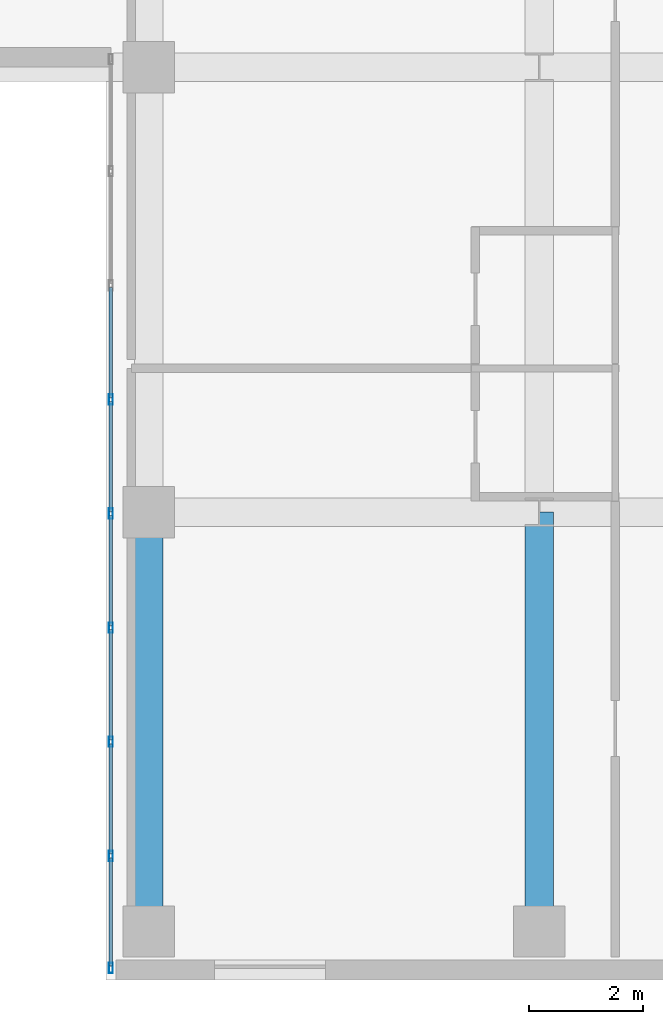
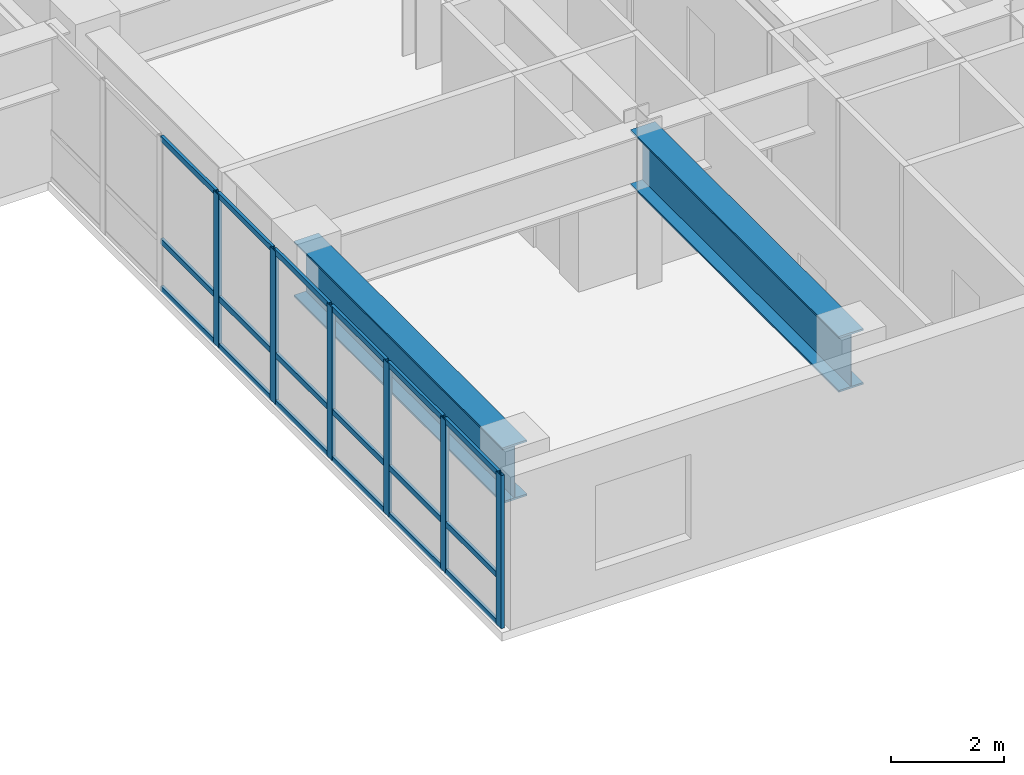
# One storey, part 5 of 15: 24 members, 2 beams, 1 element without a shape of its own.
"""IFC4 building model written with IfcOpenShell, lengths in metres."""

from ifc_helpers import new_model, si_unit, direction, frame, origin, origin_2d, place, context, subcontext, project, spatial, hollow_rectangle, i_section, extrude, source, transform, mapped, material, layer, layer_set, material_profile, profile_set, type_object, type_shapes, element, aggregate, save


model = new_model("IFC4")

# Units and contexts
model_context = context("Model", 3, precision=1e-05, world=origin(), true_north=direction((0.0, 1.0)))
body_context = subcontext(model_context, "Body", "Model", "MODEL_VIEW")
ifc_project = project(units=[si_unit("LENGTHUNIT", "METRE"), si_unit("AREAUNIT", "SQUARE_METRE"), si_unit("VOLUMEUNIT", "CUBIC_METRE"), si_unit("PLANEANGLEUNIT", "RADIAN"), si_unit("MASSUNIT", "GRAM", prefix="KILO")], contexts=[model_context])

# Site, building, storey
site_placement = place(None, origin())
site = spatial("IfcSite", under=ifc_project, at=site_placement, CompositionType="ELEMENT")
building_placement = place(site_placement, origin())
building = spatial("IfcBuilding", under=site, at=building_placement, Name="Tolvann Quenvar Hotel", CompositionType="ELEMENT")
storey_placement = place(building_placement, frame((0.0, 0.0, 143.5)))
storey = spatial("IfcBuildingStorey", under=building, at=storey_placement, Name="L37", CompositionType="ELEMENT", Elevation=143.5)

# Beams
ifc_material_1 = material(Name="Steel Grade 350", Category="steel")
ifc_material_profile_1 = material_profile(ifc_material_1, i_section(OverallWidth=0.5, OverallDepth=1.199951171875, WebThickness=0.01611328125, FlangeThickness=0.0400390625, at=origin_2d()), Name="1200WB455")
ifc_profile_set_1 = profile_set([ifc_material_profile_1], Name="Steel Grade 350")
beam_type = type_object("IfcBeamType", Name="BM_TG_1200WB455", PredefinedType="USERDEFINED", material=ifc_profile_set_1)
shared_shape_1 = source(origin(), body_context, "Body", "SweptSolid", [
    extrude(i_section(OverallWidth=0.5, OverallDepth=1.199951171875, WebThickness=0.01611328125, FlangeThickness=0.0400390625, at=origin_2d()), origin(), (0.0, 0.0, 1.0), 7.349853515625),
])
type_shapes(beam_type, [shared_shape_1])
for number, where, z_axis, x_axis, name in (
    (1, (34.949951171875, 0.85009765625, 2.68994140625), (0.0, 1.0, 0.0), (-1.0, 0.0, 0.0), "Setback Transfer Girder L37-F2"),
    (2, (41.800048828125, 0.85009765625, 2.68994140625), (0.0, 1.0, 0.0), (-1.0, 0.0, 0.0), "Setback Transfer Girder L37-H2"),
):
    element("IfcBeam", number, at=place(storey_placement, frame(where, z_axis=z_axis, x_axis=x_axis)), inside=storey, type_object=beam_type, Name=name, ObjectType="TRANSFER GIRDER", PredefinedType="USERDEFINED", context=body_context, shape_type="MappedRepresentation", body=[
        mapped(shared_shape_1, transform((0.0, 0.0, 0.0), x_axis=(1.0, 0.0, 0.0), y_axis=(0.0, 1.0, 0.0), z_axis=(0.0, 0.0, 1.0), scale=1.0)),
    ])

# Curtain wall, members
ifc_material_2 = material(Name="Thermally broken anodised architectural aluminium 6063-T6 and laminated low-E glass", Category="aluminium")
ifc_layer = layer(ifc_material_2, 0.179931640625)
ifc_layer_set = layer_set([ifc_layer], Name="Thermally broken anodised architectural aluminium 6063-T6 and laminated low-E glass")
curtain_wall_type = type_object("IfcCurtainWallType", Name="CW_SYS_SLOT_03", PredefinedType="USERDEFINED", material=ifc_layer_set)
curtain_wall_placement = place(storey_placement, origin())
curtain_wall = element("IfcCurtainWall", 3, at=curtain_wall_placement, inside=storey, type_object=curtain_wall_type, Name="Curtain Wall CW-SLOT-03 (CWR-L37-E07)", ObjectType="UNITISED CURTAIN WALL", PredefinedType="USERDEFINED")
ifc_material_3 = material(Name="Anodised architectural aluminium 6063-T6 framing", Category="aluminium")
ifc_material_profile_2 = material_profile(ifc_material_3, hollow_rectangle(XDim=0.06005859375, YDim=0.1201171875, WallThickness=0.00341796875, at=origin_2d()), Name="120x60x3.5RHS")
ifc_profile_set_2 = profile_set([ifc_material_profile_2], Name="Anodised architectural aluminium 6063-T6 framing")
member_type_1 = type_object("IfcMemberType", Name="CW_TRAN_120x60", PredefinedType="USERDEFINED", material=ifc_profile_set_2)
shared_shape_2 = source(origin(), body_context, "Body", "SweptSolid", [
    extrude(hollow_rectangle(XDim=0.06005859375, YDim=0.1201171875, WallThickness=0.00341796875, at=origin_2d()), origin(), (0.0, 0.0, 1.0), 1.894775390625),
])
member_1_placement = place(storey_placement, frame((34.2900390625, 2.139892578125, 0.030029296875), z_axis=(0.0, -1.0, 0.0), x_axis=(1.0, 0.0, 0.0)))
member_1 = element("IfcMember", 4, at=member_1_placement, type_object=member_type_1, Name="CW-SLOT-03 transom 8.1", ObjectType="TRANSOM", PredefinedType="USERDEFINED", context=body_context, shape_type="MappedRepresentation", body=[
    mapped(shared_shape_2, transform((0.0, 0.0, 0.0), x_axis=(1.0, 0.0, 0.0), y_axis=(0.0, 1.0, 0.0), z_axis=(0.0, 0.0, 1.0), scale=1.0)),
])
member_2_placement = place(storey_placement, frame((34.2900390625, 2.139892578125, 1.050048828125), z_axis=(0.0, -1.0, 0.0), x_axis=(1.0, 0.0, 0.0)))
member_2 = element("IfcMember", 5, at=member_2_placement, type_object=member_type_1, Name="CW-SLOT-03 transom 8.2", ObjectType="TRANSOM", PredefinedType="USERDEFINED", context=body_context, shape_type="MappedRepresentation", body=[
    mapped(shared_shape_2, transform((0.0, 0.0, 0.0), x_axis=(1.0, 0.0, 0.0), y_axis=(0.0, 1.0, 0.0), z_axis=(0.0, 0.0, 1.0), scale=1.0)),
])
member_3_placement = place(storey_placement, frame((34.2900390625, 2.139892578125, 3.260009765625), z_axis=(0.0, -1.0, 0.0), x_axis=(1.0, 0.0, 0.0)))
member_3 = element("IfcMember", 6, at=member_3_placement, type_object=member_type_1, Name="CW-SLOT-03 transom 8.3", ObjectType="TRANSOM", PredefinedType="USERDEFINED", context=body_context, shape_type="MappedRepresentation", body=[
    mapped(shared_shape_2, transform((0.0, 0.0, 0.0), x_axis=(1.0, 0.0, 0.0), y_axis=(0.0, 1.0, 0.0), z_axis=(0.0, 0.0, 1.0), scale=1.0)),
])
shared_shape_3 = source(origin(), body_context, "Body", "SweptSolid", [
    extrude(hollow_rectangle(XDim=0.06005859375, YDim=0.1201171875, WallThickness=0.00341796875, at=origin_2d()), origin(), (0.0, 0.0, 1.0), 1.929931640625),
])
type_shapes(member_type_1, [shared_shape_2, shared_shape_3])
member_4_placement = place(storey_placement, frame((34.2900390625, 12.139892578125, 0.030029296875), z_axis=(0.0, -1.0, 0.0), x_axis=(1.0, 0.0, 0.0)))
member_4 = element("IfcMember", 7, at=member_4_placement, type_object=member_type_1, Name="CW-SLOT-03 transom 3.1", ObjectType="TRANSOM", PredefinedType="USERDEFINED", context=body_context, shape_type="MappedRepresentation", body=[
    mapped(shared_shape_3, transform((0.0, 0.0, 0.0), x_axis=(1.0, 0.0, 0.0), y_axis=(0.0, 1.0, 0.0), z_axis=(0.0, 0.0, 1.0), scale=1.0)),
])
member_5_placement = place(storey_placement, frame((34.2900390625, 12.139892578125, 1.050048828125), z_axis=(0.0, -1.0, 0.0), x_axis=(1.0, 0.0, 0.0)))
member_5 = element("IfcMember", 8, at=member_5_placement, type_object=member_type_1, Name="CW-SLOT-03 transom 3.2", ObjectType="TRANSOM", PredefinedType="USERDEFINED", context=body_context, shape_type="MappedRepresentation", body=[
    mapped(shared_shape_3, transform((0.0, 0.0, 0.0), x_axis=(1.0, 0.0, 0.0), y_axis=(0.0, 1.0, 0.0), z_axis=(0.0, 0.0, 1.0), scale=1.0)),
])
member_6_placement = place(storey_placement, frame((34.2900390625, 12.139892578125, 3.260009765625), z_axis=(0.0, -1.0, 0.0), x_axis=(1.0, 0.0, 0.0)))
member_6 = element("IfcMember", 9, at=member_6_placement, type_object=member_type_1, Name="CW-SLOT-03 transom 3.3", ObjectType="TRANSOM", PredefinedType="USERDEFINED", context=body_context, shape_type="MappedRepresentation", body=[
    mapped(shared_shape_3, transform((0.0, 0.0, 0.0), x_axis=(1.0, 0.0, 0.0), y_axis=(0.0, 1.0, 0.0), z_axis=(0.0, 0.0, 1.0), scale=1.0)),
])
member_7_placement = place(storey_placement, frame((34.2900390625, 10.139892578125, 0.030029296875), z_axis=(0.0, -1.0, 0.0), x_axis=(1.0, 0.0, 0.0)))
member_7 = element("IfcMember", 10, at=member_7_placement, type_object=member_type_1, Name="CW-SLOT-03 transom 4.1", ObjectType="TRANSOM", PredefinedType="USERDEFINED", context=body_context, shape_type="MappedRepresentation", body=[
    mapped(shared_shape_3, transform((0.0, 0.0, 0.0), x_axis=(1.0, 0.0, 0.0), y_axis=(0.0, 1.0, 0.0), z_axis=(0.0, 0.0, 1.0), scale=1.0)),
])
member_8_placement = place(storey_placement, frame((34.2900390625, 10.139892578125, 1.050048828125), z_axis=(0.0, -1.0, 0.0), x_axis=(1.0, 0.0, 0.0)))
member_8 = element("IfcMember", 11, at=member_8_placement, type_object=member_type_1, Name="CW-SLOT-03 transom 4.2", ObjectType="TRANSOM", PredefinedType="USERDEFINED", context=body_context, shape_type="MappedRepresentation", body=[
    mapped(shared_shape_3, transform((0.0, 0.0, 0.0), x_axis=(1.0, 0.0, 0.0), y_axis=(0.0, 1.0, 0.0), z_axis=(0.0, 0.0, 1.0), scale=1.0)),
])
member_9_placement = place(storey_placement, frame((34.2900390625, 10.139892578125, 3.260009765625), z_axis=(0.0, -1.0, 0.0), x_axis=(1.0, 0.0, 0.0)))
member_9 = element("IfcMember", 12, at=member_9_placement, type_object=member_type_1, Name="CW-SLOT-03 transom 4.3", ObjectType="TRANSOM", PredefinedType="USERDEFINED", context=body_context, shape_type="MappedRepresentation", body=[
    mapped(shared_shape_3, transform((0.0, 0.0, 0.0), x_axis=(1.0, 0.0, 0.0), y_axis=(0.0, 1.0, 0.0), z_axis=(0.0, 0.0, 1.0), scale=1.0)),
])
member_10_placement = place(storey_placement, frame((34.2900390625, 8.139892578125, 0.030029296875), z_axis=(0.0, -1.0, 0.0), x_axis=(1.0, 0.0, 0.0)))
member_10 = element("IfcMember", 13, at=member_10_placement, type_object=member_type_1, Name="CW-SLOT-03 transom 5.1", ObjectType="TRANSOM", PredefinedType="USERDEFINED", context=body_context, shape_type="MappedRepresentation", body=[
    mapped(shared_shape_3, transform((0.0, 0.0, 0.0), x_axis=(1.0, 0.0, 0.0), y_axis=(0.0, 1.0, 0.0), z_axis=(0.0, 0.0, 1.0), scale=1.0)),
])
member_11_placement = place(storey_placement, frame((34.2900390625, 8.139892578125, 1.050048828125), z_axis=(0.0, -1.0, 0.0), x_axis=(1.0, 0.0, 0.0)))
member_11 = element("IfcMember", 14, at=member_11_placement, type_object=member_type_1, Name="CW-SLOT-03 transom 5.2", ObjectType="TRANSOM", PredefinedType="USERDEFINED", context=body_context, shape_type="MappedRepresentation", body=[
    mapped(shared_shape_3, transform((0.0, 0.0, 0.0), x_axis=(1.0, 0.0, 0.0), y_axis=(0.0, 1.0, 0.0), z_axis=(0.0, 0.0, 1.0), scale=1.0)),
])
member_12_placement = place(storey_placement, frame((34.2900390625, 8.139892578125, 3.260009765625), z_axis=(0.0, -1.0, 0.0), x_axis=(1.0, 0.0, 0.0)))
member_12 = element("IfcMember", 15, at=member_12_placement, type_object=member_type_1, Name="CW-SLOT-03 transom 5.3", ObjectType="TRANSOM", PredefinedType="USERDEFINED", context=body_context, shape_type="MappedRepresentation", body=[
    mapped(shared_shape_3, transform((0.0, 0.0, 0.0), x_axis=(1.0, 0.0, 0.0), y_axis=(0.0, 1.0, 0.0), z_axis=(0.0, 0.0, 1.0), scale=1.0)),
])
member_13_placement = place(storey_placement, frame((34.2900390625, 6.139892578125, 0.030029296875), z_axis=(0.0, -1.0, 0.0), x_axis=(1.0, 0.0, 0.0)))
member_13 = element("IfcMember", 16, at=member_13_placement, type_object=member_type_1, Name="CW-SLOT-03 transom 6.1", ObjectType="TRANSOM", PredefinedType="USERDEFINED", context=body_context, shape_type="MappedRepresentation", body=[
    mapped(shared_shape_3, transform((0.0, 0.0, 0.0), x_axis=(1.0, 0.0, 0.0), y_axis=(0.0, 1.0, 0.0), z_axis=(0.0, 0.0, 1.0), scale=1.0)),
])
member_14_placement = place(storey_placement, frame((34.2900390625, 6.139892578125, 1.050048828125), z_axis=(0.0, -1.0, 0.0), x_axis=(1.0, 0.0, 0.0)))
member_14 = element("IfcMember", 17, at=member_14_placement, type_object=member_type_1, Name="CW-SLOT-03 transom 6.2", ObjectType="TRANSOM", PredefinedType="USERDEFINED", context=body_context, shape_type="MappedRepresentation", body=[
    mapped(shared_shape_3, transform((0.0, 0.0, 0.0), x_axis=(1.0, 0.0, 0.0), y_axis=(0.0, 1.0, 0.0), z_axis=(0.0, 0.0, 1.0), scale=1.0)),
])
member_15_placement = place(storey_placement, frame((34.2900390625, 6.139892578125, 3.260009765625), z_axis=(0.0, -1.0, 0.0), x_axis=(1.0, 0.0, 0.0)))
member_15 = element("IfcMember", 18, at=member_15_placement, type_object=member_type_1, Name="CW-SLOT-03 transom 6.3", ObjectType="TRANSOM", PredefinedType="USERDEFINED", context=body_context, shape_type="MappedRepresentation", body=[
    mapped(shared_shape_3, transform((0.0, 0.0, 0.0), x_axis=(1.0, 0.0, 0.0), y_axis=(0.0, 1.0, 0.0), z_axis=(0.0, 0.0, 1.0), scale=1.0)),
])
member_16_placement = place(storey_placement, frame((34.2900390625, 4.139892578125, 0.030029296875), z_axis=(0.0, -1.0, 0.0), x_axis=(1.0, 0.0, 0.0)))
member_16 = element("IfcMember", 19, at=member_16_placement, type_object=member_type_1, Name="CW-SLOT-03 transom 7.1", ObjectType="TRANSOM", PredefinedType="USERDEFINED", context=body_context, shape_type="MappedRepresentation", body=[
    mapped(shared_shape_3, transform((0.0, 0.0, 0.0), x_axis=(1.0, 0.0, 0.0), y_axis=(0.0, 1.0, 0.0), z_axis=(0.0, 0.0, 1.0), scale=1.0)),
])
member_17_placement = place(storey_placement, frame((34.2900390625, 4.139892578125, 1.050048828125), z_axis=(0.0, -1.0, 0.0), x_axis=(1.0, 0.0, 0.0)))
member_17 = element("IfcMember", 20, at=member_17_placement, type_object=member_type_1, Name="CW-SLOT-03 transom 7.2", ObjectType="TRANSOM", PredefinedType="USERDEFINED", context=body_context, shape_type="MappedRepresentation", body=[
    mapped(shared_shape_3, transform((0.0, 0.0, 0.0), x_axis=(1.0, 0.0, 0.0), y_axis=(0.0, 1.0, 0.0), z_axis=(0.0, 0.0, 1.0), scale=1.0)),
])
member_18_placement = place(storey_placement, frame((34.2900390625, 4.139892578125, 3.260009765625), z_axis=(0.0, -1.0, 0.0), x_axis=(1.0, 0.0, 0.0)))
member_18 = element("IfcMember", 21, at=member_18_placement, type_object=member_type_1, Name="CW-SLOT-03 transom 7.3", ObjectType="TRANSOM", PredefinedType="USERDEFINED", context=body_context, shape_type="MappedRepresentation", body=[
    mapped(shared_shape_3, transform((0.0, 0.0, 0.0), x_axis=(1.0, 0.0, 0.0), y_axis=(0.0, 1.0, 0.0), z_axis=(0.0, 0.0, 1.0), scale=1.0)),
])
ifc_material_profile_3 = material_profile(ifc_material_3, hollow_rectangle(XDim=0.070068359375, YDim=0.179931640625, WallThickness=0.00390625, at=origin_2d()), Name="180x70x4RHS")
ifc_profile_set_3 = profile_set([ifc_material_profile_3], Name="Anodised architectural aluminium 6063-T6 framing")
member_type_2 = type_object("IfcMemberType", Name="CW_MULL_180x70", PredefinedType="MULLION", material=ifc_profile_set_3)
shared_shape_4 = source(origin(), body_context, "Body", "SweptSolid", [
    extrude(hollow_rectangle(XDim=0.070068359375, YDim=0.179931640625, WallThickness=0.00390625, at=origin_2d()), origin(), (0.0, 0.0, 1.0), 3.2900390625),
])
type_shapes(member_type_2, [shared_shape_4])
member_19_placement = place(storey_placement, frame((34.2900390625, 10.175048828125, 0.0), z_axis=(0.0, 0.0, 1.0), x_axis=(1.0, 0.0, 0.0)))
member_19 = element("IfcMember", 22, at=member_19_placement, type_object=member_type_2, Name="CW-SLOT-03 mullion 4", PredefinedType="MULLION", context=body_context, shape_type="MappedRepresentation", body=[
    mapped(shared_shape_4, transform((0.0, 0.0, 0.0), x_axis=(1.0, 0.0, 0.0), y_axis=(0.0, 1.0, 0.0), z_axis=(0.0, 0.0, 1.0), scale=1.0)),
])
member_20_placement = place(storey_placement, frame((34.2900390625, 8.175048828125, 0.0), z_axis=(0.0, 0.0, 1.0), x_axis=(1.0, 0.0, 0.0)))
member_20 = element("IfcMember", 23, at=member_20_placement, type_object=member_type_2, Name="CW-SLOT-03 mullion 5", PredefinedType="MULLION", context=body_context, shape_type="MappedRepresentation", body=[
    mapped(shared_shape_4, transform((0.0, 0.0, 0.0), x_axis=(1.0, 0.0, 0.0), y_axis=(0.0, 1.0, 0.0), z_axis=(0.0, 0.0, 1.0), scale=1.0)),
])
member_21_placement = place(storey_placement, frame((34.2900390625, 6.175048828125, 0.0), z_axis=(0.0, 0.0, 1.0), x_axis=(1.0, 0.0, 0.0)))
member_21 = element("IfcMember", 24, at=member_21_placement, type_object=member_type_2, Name="CW-SLOT-03 mullion 6", PredefinedType="MULLION", context=body_context, shape_type="MappedRepresentation", body=[
    mapped(shared_shape_4, transform((0.0, 0.0, 0.0), x_axis=(1.0, 0.0, 0.0), y_axis=(0.0, 1.0, 0.0), z_axis=(0.0, 0.0, 1.0), scale=1.0)),
])
member_22_placement = place(storey_placement, frame((34.2900390625, 4.175048828125, 0.0), z_axis=(0.0, 0.0, 1.0), x_axis=(1.0, 0.0, 0.0)))
member_22 = element("IfcMember", 25, at=member_22_placement, type_object=member_type_2, Name="CW-SLOT-03 mullion 7", PredefinedType="MULLION", context=body_context, shape_type="MappedRepresentation", body=[
    mapped(shared_shape_4, transform((0.0, 0.0, 0.0), x_axis=(1.0, 0.0, 0.0), y_axis=(0.0, 1.0, 0.0), z_axis=(0.0, 0.0, 1.0), scale=1.0)),
])
member_23_placement = place(storey_placement, frame((34.2900390625, 2.175048828125, 0.0), z_axis=(0.0, 0.0, 1.0), x_axis=(1.0, 0.0, 0.0)))
member_23 = element("IfcMember", 26, at=member_23_placement, type_object=member_type_2, Name="CW-SLOT-03 mullion 8", PredefinedType="MULLION", context=body_context, shape_type="MappedRepresentation", body=[
    mapped(shared_shape_4, transform((0.0, 0.0, 0.0), x_axis=(1.0, 0.0, 0.0), y_axis=(0.0, 1.0, 0.0), z_axis=(0.0, 0.0, 1.0), scale=1.0)),
])
member_24_placement = place(storey_placement, frame((34.2900390625, 0.2099609375, 0.0), z_axis=(0.0, 0.0, 1.0), x_axis=(1.0, 0.0, 0.0)))
member_24 = element("IfcMember", 27, at=member_24_placement, type_object=member_type_2, Name="CW-SLOT-03 mullion 9", PredefinedType="MULLION", context=body_context, shape_type="MappedRepresentation", body=[
    mapped(shared_shape_4, transform((0.0, 0.0, 0.0), x_axis=(1.0, 0.0, 0.0), y_axis=(0.0, 1.0, 0.0), z_axis=(0.0, 0.0, 1.0), scale=1.0)),
])
aggregate(curtain_wall, [member_19, member_20, member_21, member_22, member_23, member_24, member_4, member_5, member_6, member_7, member_8, member_9, member_10, member_11, member_12, member_13, member_14, member_15, member_16, member_17, member_18, member_1, member_2, member_3])

save(model, "model.ifc")
